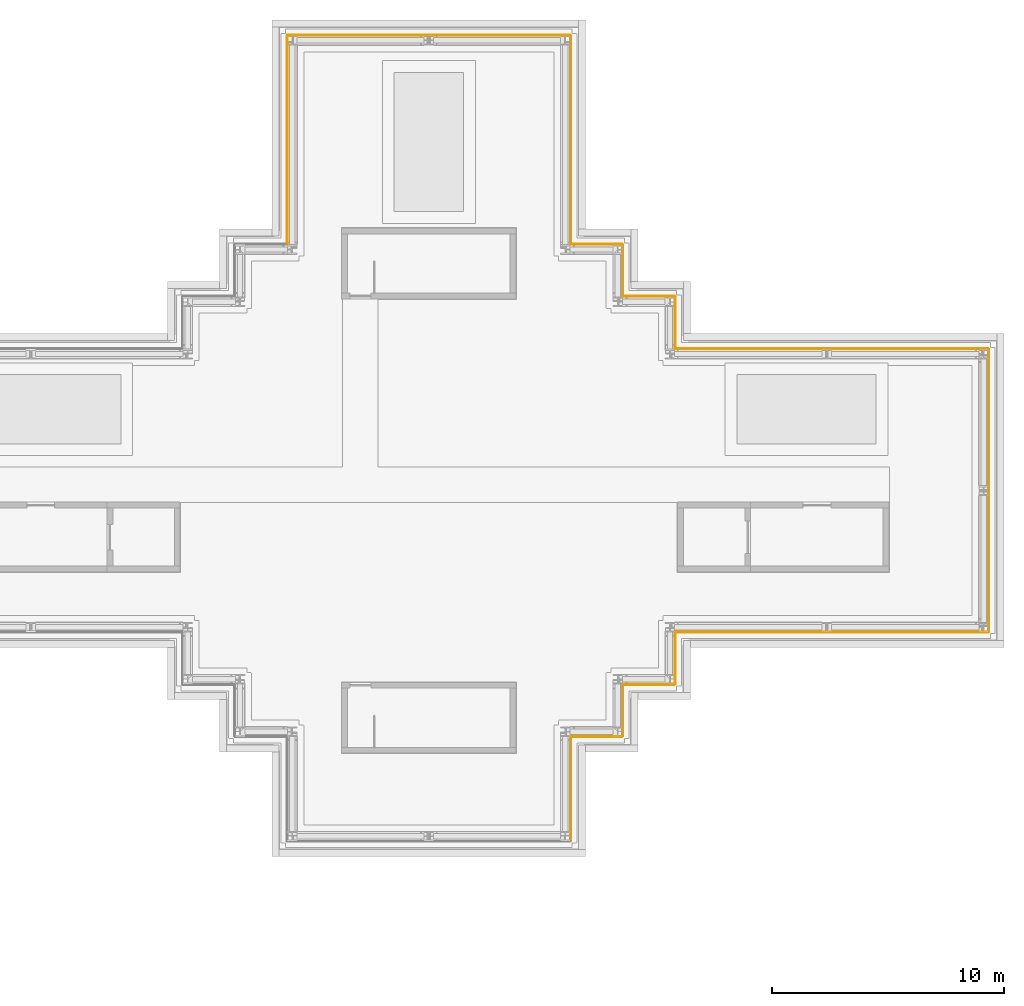
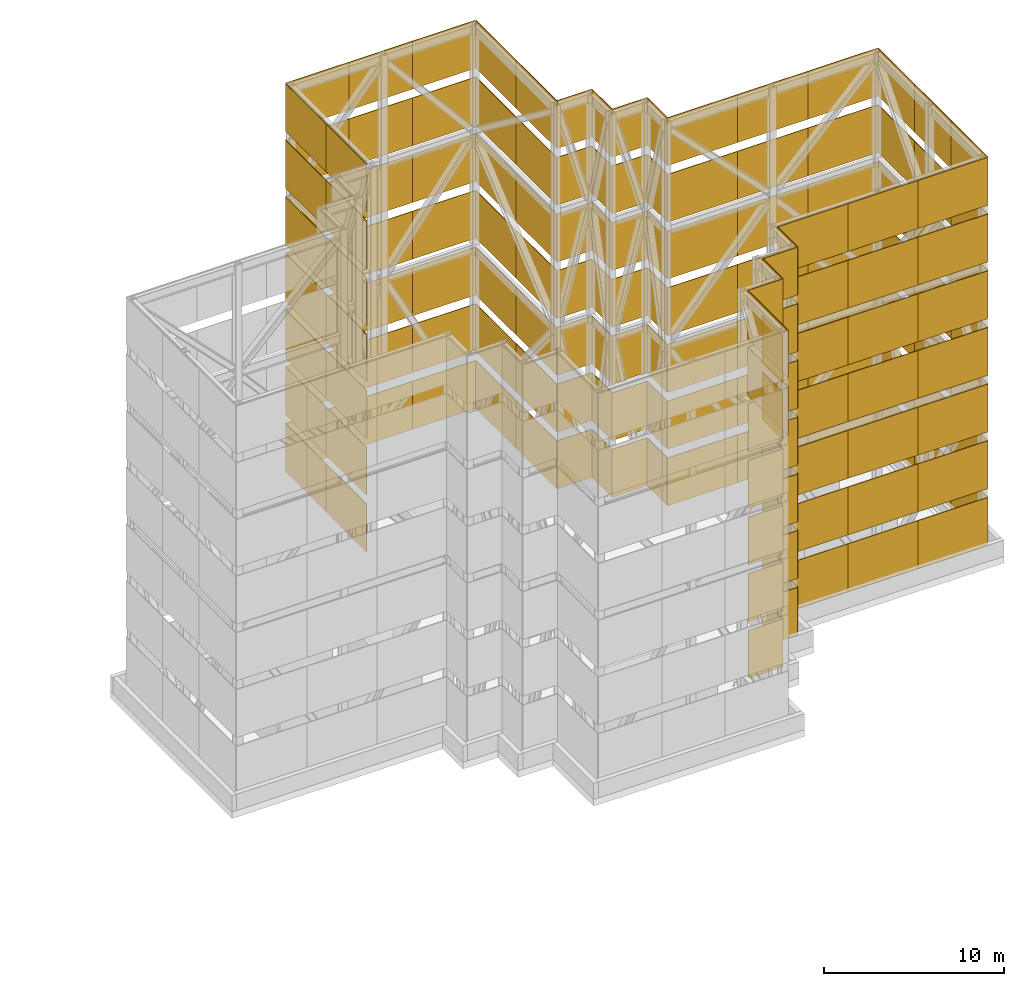
# One storey, part 18 of 19: 170 coverings.
"""IFC4 building model written with IfcOpenShell, lengths in metres."""

from ifc_helpers import new_model, si_unit, direction, frame, origin, origin_2d, place, context, subcontext, project, spatial, rectangle, extrude, material, layer, layer_set, type_object, element, save


model = new_model("IFC4")

# Units and contexts
model_context = context("Model", 3, precision=1e-05, world=origin(), true_north=direction((0.0, 1.0)))
body_context = subcontext(model_context, "Body", "Model", "MODEL_VIEW")
ifc_project = project(units=[si_unit("LENGTHUNIT", "METRE"), si_unit("AREAUNIT", "SQUARE_METRE"), si_unit("VOLUMEUNIT", "CUBIC_METRE"), si_unit("PLANEANGLEUNIT", "RADIAN"), si_unit("MASSUNIT", "GRAM", prefix="KILO")], contexts=[model_context])

# Site, building, storey
site_placement = place(None, origin())
site = spatial("IfcSite", under=ifc_project, at=site_placement, CompositionType="ELEMENT")
building_placement = place(site_placement, origin())
building = spatial("IfcBuilding", under=site, at=building_placement, Name="Shamsa Quay Exchange Towers", CompositionType="ELEMENT")
storey_placement = place(building_placement, frame((0.0, 0.0, 284.300048828125)))
storey = spatial("IfcBuildingStorey", under=building, at=storey_placement, Name="Roof", CompositionType="ELEMENT", Elevation=284.300048828125)

# Coverings
ifc_material = material(Name="Aluminium EN AW-5083, dark bronze anodised, perforated", Category="aluminium")
ifc_layer = layer(ifc_material, 0.0400390625)
ifc_layer_set = layer_set([ifc_layer], Name="CROWN SCREEN PANEL 40")
covering_type = type_object("IfcCoveringType", Name="CROWN SCREEN PANEL 40", PredefinedType="CLADDING", material=ifc_layer_set)
for number, where, name in (
    (1, (43.22900390625, -8.35302734375, 0.60009765625), "SCREEN T2 CR00 tier 1"),
    (2, (43.22900390625, -8.35302734375, 4.44287109375), "SCREEN T2 CR00 tier 2"),
    (3, (43.22900390625, -8.35302734375, 8.28564453125), "SCREEN T2 CR00 tier 3"),
    (4, (43.22900390625, -8.35302734375, 12.12841796875), "SCREEN T2 CR00 tier 4"),
    (5, (43.22900390625, -8.35302734375, 15.97119140625), "SCREEN T2 CR00 tier 5"),
    (6, (43.22900390625, -8.35302734375, 19.81396484375), "SCREEN T2 CR00 tier 6"),
    (7, (43.22900390625, -8.35302734375, 23.6572265625), "SCREEN T2 CR00 tier 7"),
):
    element("IfcCovering", number, at=place(storey_placement, frame(where)), inside=storey, type_object=covering_type, Name=name, PredefinedType="CLADDING", context=body_context, shape_type="SweptSolid", body=[
        extrude(rectangle(XDim=2.2080078125, YDim=0.0400390625, at=origin_2d()), origin(), (0.0, 0.0, 1.0), 3.242919921875),
    ])
for number, where, z_axis, x_axis, name in (
    (8, (44.35302734375, -7.2080078125, 0.60009765625), (0.0, 0.0, 1.0), (0.0, 1.0, 0.0), "SCREEN T2 CR01 tier 1"),
    (9, (44.35302734375, -7.2080078125, 4.44287109375), (0.0, 0.0, 1.0), (0.0, 1.0, 0.0), "SCREEN T2 CR01 tier 2"),
    (10, (44.35302734375, -7.2080078125, 8.28564453125), (0.0, 0.0, 1.0), (0.0, 1.0, 0.0), "SCREEN T2 CR01 tier 3"),
    (11, (44.35302734375, -7.2080078125, 12.12841796875), (0.0, 0.0, 1.0), (0.0, 1.0, 0.0), "SCREEN T2 CR01 tier 4"),
    (12, (44.35302734375, -7.2080078125, 15.97119140625), (0.0, 0.0, 1.0), (0.0, 1.0, 0.0), "SCREEN T2 CR01 tier 5"),
    (13, (44.35302734375, -7.2080078125, 19.81396484375), (0.0, 0.0, 1.0), (0.0, 1.0, 0.0), "SCREEN T2 CR01 tier 6"),
    (14, (44.35302734375, -7.2080078125, 23.6572265625), (0.0, 0.0, 1.0), (0.0, 1.0, 0.0), "SCREEN T2 CR01 tier 7"),
):
    element("IfcCovering", number, at=place(storey_placement, frame(where, z_axis=z_axis, x_axis=x_axis)), inside=storey, type_object=covering_type, Name=name, PredefinedType="CLADDING", context=body_context, shape_type="SweptSolid", body=[
        extrude(rectangle(XDim=2.25, YDim=0.0400390625, at=origin_2d()), origin(), (0.0, 0.0, 1.0), 3.242919921875),
    ])
for number, where, name in (
    (15, (46.6181640625, -6.10302734375, 0.60009765625), "SCREEN T2 CR02 tier 1"),
    (16, (51.10400390625, -6.10302734375, 0.60009765625), "SCREEN T2 CR02 tier 1"),
    (17, (55.590087890625, -6.10302734375, 0.60009765625), "SCREEN T2 CR02 tier 1"),
    (18, (46.6181640625, -6.10302734375, 4.44287109375), "SCREEN T2 CR02 tier 2"),
    (19, (51.10400390625, -6.10302734375, 4.44287109375), "SCREEN T2 CR02 tier 2"),
    (20, (55.590087890625, -6.10302734375, 4.44287109375), "SCREEN T2 CR02 tier 2"),
    (21, (46.6181640625, -6.10302734375, 8.28564453125), "SCREEN T2 CR02 tier 3"),
    (22, (51.10400390625, -6.10302734375, 8.28564453125), "SCREEN T2 CR02 tier 3"),
    (23, (55.590087890625, -6.10302734375, 8.28564453125), "SCREEN T2 CR02 tier 3"),
    (24, (46.6181640625, -6.10302734375, 12.12841796875), "SCREEN T2 CR02 tier 4"),
    (25, (51.10400390625, -6.10302734375, 12.12841796875), "SCREEN T2 CR02 tier 4"),
    (26, (55.590087890625, -6.10302734375, 12.12841796875), "SCREEN T2 CR02 tier 4"),
    (27, (46.6181640625, -6.10302734375, 15.97119140625), "SCREEN T2 CR02 tier 5"),
    (28, (51.10400390625, -6.10302734375, 15.97119140625), "SCREEN T2 CR02 tier 5"),
    (29, (55.590087890625, -6.10302734375, 15.97119140625), "SCREEN T2 CR02 tier 5"),
    (30, (46.6181640625, -6.10302734375, 19.81396484375), "SCREEN T2 CR02 tier 6"),
    (31, (51.10400390625, -6.10302734375, 19.81396484375), "SCREEN T2 CR02 tier 6"),
    (32, (55.590087890625, -6.10302734375, 19.81396484375), "SCREEN T2 CR02 tier 6"),
    (33, (46.6181640625, -6.10302734375, 23.6572265625), "SCREEN T2 CR02 tier 7"),
    (34, (51.10400390625, -6.10302734375, 23.6572265625), "SCREEN T2 CR02 tier 7"),
    (35, (55.590087890625, -6.10302734375, 23.6572265625), "SCREEN T2 CR02 tier 7"),
):
    element("IfcCovering", number, at=place(storey_placement, frame(where)), inside=storey, type_object=covering_type, Name=name, PredefinedType="CLADDING", context=body_context, shape_type="SweptSolid", body=[
        extrude(rectangle(XDim=4.486083984375, YDim=0.0400390625, at=origin_2d()), origin(), (0.0, 0.0, 1.0), 3.242919921875),
    ])
for number, where, z_axis, x_axis, name in (
    (36, (57.85302734375, -4.055419921875, 0.60009765625), (0.0, 0.0, 1.0), (0.0, 1.0, 0.0), "SCREEN T2 CR03 tier 1"),
    (37, (57.85302734375, 0.0, 0.60009765625), (0.0, 0.0, 1.0), (0.0, 1.0, 0.0), "SCREEN T2 CR03 tier 1"),
    (38, (57.85302734375, 4.055419921875, 0.60009765625), (0.0, 0.0, 1.0), (0.0, 1.0, 0.0), "SCREEN T2 CR03 tier 1"),
    (39, (57.85302734375, -4.055419921875, 4.44287109375), (0.0, 0.0, 1.0), (0.0, 1.0, 0.0), "SCREEN T2 CR03 tier 2"),
    (40, (57.85302734375, 0.0, 4.44287109375), (0.0, 0.0, 1.0), (0.0, 1.0, 0.0), "SCREEN T2 CR03 tier 2"),
    (41, (57.85302734375, 4.055419921875, 4.44287109375), (0.0, 0.0, 1.0), (0.0, 1.0, 0.0), "SCREEN T2 CR03 tier 2"),
    (42, (57.85302734375, -4.055419921875, 8.28564453125), (0.0, 0.0, 1.0), (0.0, 1.0, 0.0), "SCREEN T2 CR03 tier 3"),
    (43, (57.85302734375, 0.0, 8.28564453125), (0.0, 0.0, 1.0), (0.0, 1.0, 0.0), "SCREEN T2 CR03 tier 3"),
    (44, (57.85302734375, 4.055419921875, 8.28564453125), (0.0, 0.0, 1.0), (0.0, 1.0, 0.0), "SCREEN T2 CR03 tier 3"),
    (45, (57.85302734375, -4.055419921875, 12.12841796875), (0.0, 0.0, 1.0), (0.0, 1.0, 0.0), "SCREEN T2 CR03 tier 4"),
    (46, (57.85302734375, 0.0, 12.12841796875), (0.0, 0.0, 1.0), (0.0, 1.0, 0.0), "SCREEN T2 CR03 tier 4"),
    (47, (57.85302734375, 4.055419921875, 12.12841796875), (0.0, 0.0, 1.0), (0.0, 1.0, 0.0), "SCREEN T2 CR03 tier 4"),
    (48, (57.85302734375, -4.055419921875, 15.97119140625), (0.0, 0.0, 1.0), (0.0, 1.0, 0.0), "SCREEN T2 CR03 tier 5"),
    (49, (57.85302734375, 0.0, 15.97119140625), (0.0, 0.0, 1.0), (0.0, 1.0, 0.0), "SCREEN T2 CR03 tier 5"),
    (50, (57.85302734375, 4.055419921875, 15.97119140625), (0.0, 0.0, 1.0), (0.0, 1.0, 0.0), "SCREEN T2 CR03 tier 5"),
    (51, (57.85302734375, -4.055419921875, 19.81396484375), (0.0, 0.0, 1.0), (0.0, 1.0, 0.0), "SCREEN T2 CR03 tier 6"),
    (52, (57.85302734375, 0.0, 19.81396484375), (0.0, 0.0, 1.0), (0.0, 1.0, 0.0), "SCREEN T2 CR03 tier 6"),
    (53, (57.85302734375, 4.055419921875, 19.81396484375), (0.0, 0.0, 1.0), (0.0, 1.0, 0.0), "SCREEN T2 CR03 tier 6"),
    (54, (57.85302734375, -4.055419921875, 23.6572265625), (0.0, 0.0, 1.0), (0.0, 1.0, 0.0), "SCREEN T2 CR03 tier 7"),
    (55, (57.85302734375, 0.0, 23.6572265625), (0.0, 0.0, 1.0), (0.0, 1.0, 0.0), "SCREEN T2 CR03 tier 7"),
    (56, (57.85302734375, 4.055419921875, 23.6572265625), (0.0, 0.0, 1.0), (0.0, 1.0, 0.0), "SCREEN T2 CR03 tier 7"),
):
    element("IfcCovering", number, at=place(storey_placement, frame(where, z_axis=z_axis, x_axis=x_axis)), inside=storey, type_object=covering_type, Name=name, PredefinedType="CLADDING", context=body_context, shape_type="SweptSolid", body=[
        extrude(rectangle(XDim=4.055419921875, YDim=0.0400390625, at=origin_2d()), origin(), (0.0, 0.0, 1.0), 3.242919921875),
    ])
for number, where, z_axis, x_axis, name in (
    (57, (55.5830078125, 6.10302734375, 0.60009765625), (0.0, 0.0, 1.0), (-1.0, 0.0, 0.0), "SCREEN T2 CR04 tier 1"),
    (58, (51.0830078125, 6.10302734375, 0.60009765625), (0.0, 0.0, 1.0), (-1.0, 0.0, 0.0), "SCREEN T2 CR04 tier 1"),
    (59, (46.5830078125, 6.10302734375, 0.60009765625), (0.0, 0.0, 1.0), (-1.0, 0.0, 0.0), "SCREEN T2 CR04 tier 1"),
    (60, (55.5830078125, 6.10302734375, 4.44287109375), (0.0, 0.0, 1.0), (-1.0, 0.0, 0.0), "SCREEN T2 CR04 tier 2"),
    (61, (51.0830078125, 6.10302734375, 4.44287109375), (0.0, 0.0, 1.0), (-1.0, 0.0, 0.0), "SCREEN T2 CR04 tier 2"),
    (62, (46.5830078125, 6.10302734375, 4.44287109375), (0.0, 0.0, 1.0), (-1.0, 0.0, 0.0), "SCREEN T2 CR04 tier 2"),
    (63, (55.5830078125, 6.10302734375, 8.28564453125), (0.0, 0.0, 1.0), (-1.0, 0.0, 0.0), "SCREEN T2 CR04 tier 3"),
    (64, (51.0830078125, 6.10302734375, 8.28564453125), (0.0, 0.0, 1.0), (-1.0, 0.0, 0.0), "SCREEN T2 CR04 tier 3"),
    (65, (46.5830078125, 6.10302734375, 8.28564453125), (0.0, 0.0, 1.0), (-1.0, 0.0, 0.0), "SCREEN T2 CR04 tier 3"),
    (66, (55.5830078125, 6.10302734375, 12.12841796875), (0.0, 0.0, 1.0), (-1.0, 0.0, 0.0), "SCREEN T2 CR04 tier 4"),
    (67, (51.0830078125, 6.10302734375, 12.12841796875), (0.0, 0.0, 1.0), (-1.0, 0.0, 0.0), "SCREEN T2 CR04 tier 4"),
    (68, (46.5830078125, 6.10302734375, 12.12841796875), (0.0, 0.0, 1.0), (-1.0, 0.0, 0.0), "SCREEN T2 CR04 tier 4"),
    (69, (55.5830078125, 6.10302734375, 15.97119140625), (0.0, 0.0, 1.0), (-1.0, 0.0, 0.0), "SCREEN T2 CR04 tier 5"),
    (70, (51.0830078125, 6.10302734375, 15.97119140625), (0.0, 0.0, 1.0), (-1.0, 0.0, 0.0), "SCREEN T2 CR04 tier 5"),
    (71, (46.5830078125, 6.10302734375, 15.97119140625), (0.0, 0.0, 1.0), (-1.0, 0.0, 0.0), "SCREEN T2 CR04 tier 5"),
    (72, (55.5830078125, 6.10302734375, 19.81396484375), (0.0, 0.0, 1.0), (-1.0, 0.0, 0.0), "SCREEN T2 CR04 tier 6"),
    (73, (51.0830078125, 6.10302734375, 19.81396484375), (0.0, 0.0, 1.0), (-1.0, 0.0, 0.0), "SCREEN T2 CR04 tier 6"),
    (74, (46.5830078125, 6.10302734375, 19.81396484375), (0.0, 0.0, 1.0), (-1.0, 0.0, 0.0), "SCREEN T2 CR04 tier 6"),
    (75, (55.5830078125, 6.10302734375, 23.6572265625), (0.0, 0.0, 1.0), (-1.0, 0.0, 0.0), "SCREEN T2 CR04 tier 7"),
    (76, (51.0830078125, 6.10302734375, 23.6572265625), (0.0, 0.0, 1.0), (-1.0, 0.0, 0.0), "SCREEN T2 CR04 tier 7"),
    (77, (46.5830078125, 6.10302734375, 23.6572265625), (0.0, 0.0, 1.0), (-1.0, 0.0, 0.0), "SCREEN T2 CR04 tier 7"),
):
    element("IfcCovering", number, at=place(storey_placement, frame(where, z_axis=z_axis, x_axis=x_axis)), inside=storey, type_object=covering_type, Name=name, PredefinedType="CLADDING", context=body_context, shape_type="SweptSolid", body=[
        extrude(rectangle(XDim=4.5, YDim=0.0400390625, at=origin_2d()), origin(), (0.0, 0.0, 1.0), 3.242919921875),
    ])
for number, where, z_axis, x_axis, name in (
    (78, (44.35302734375, 7.22900390625, 0.60009765625), (0.0, 0.0, 1.0), (0.0, 1.0, 0.0), "SCREEN T2 CR05 tier 1"),
    (79, (44.35302734375, 7.22900390625, 4.44287109375), (0.0, 0.0, 1.0), (0.0, 1.0, 0.0), "SCREEN T2 CR05 tier 2"),
    (80, (44.35302734375, 7.22900390625, 8.28564453125), (0.0, 0.0, 1.0), (0.0, 1.0, 0.0), "SCREEN T2 CR05 tier 3"),
    (81, (44.35302734375, 7.22900390625, 12.12841796875), (0.0, 0.0, 1.0), (0.0, 1.0, 0.0), "SCREEN T2 CR05 tier 4"),
    (82, (44.35302734375, 7.22900390625, 15.97119140625), (0.0, 0.0, 1.0), (0.0, 1.0, 0.0), "SCREEN T2 CR05 tier 5"),
    (83, (44.35302734375, 7.22900390625, 19.81396484375), (0.0, 0.0, 1.0), (0.0, 1.0, 0.0), "SCREEN T2 CR05 tier 6"),
    (84, (44.35302734375, 7.22900390625, 23.6572265625), (0.0, 0.0, 1.0), (0.0, 1.0, 0.0), "SCREEN T2 CR05 tier 7"),
):
    element("IfcCovering", number, at=place(storey_placement, frame(where, z_axis=z_axis, x_axis=x_axis)), inside=storey, type_object=covering_type, Name=name, PredefinedType="CLADDING", context=body_context, shape_type="SweptSolid", body=[
        extrude(rectangle(XDim=2.2080078125, YDim=0.0400390625, at=origin_2d()), origin(), (0.0, 0.0, 1.0), 3.242919921875),
    ])
for number, where, z_axis, x_axis, name in (
    (85, (43.2080078125, 8.35302734375, 0.60009765625), (0.0, 0.0, 1.0), (-1.0, 0.0, 0.0), "SCREEN T2 CR06 tier 1"),
    (86, (43.2080078125, 8.35302734375, 4.44287109375), (0.0, 0.0, 1.0), (-1.0, 0.0, 0.0), "SCREEN T2 CR06 tier 2"),
    (87, (43.2080078125, 8.35302734375, 8.28564453125), (0.0, 0.0, 1.0), (-1.0, 0.0, 0.0), "SCREEN T2 CR06 tier 3"),
    (88, (43.2080078125, 8.35302734375, 12.12841796875), (0.0, 0.0, 1.0), (-1.0, 0.0, 0.0), "SCREEN T2 CR06 tier 4"),
    (89, (43.2080078125, 8.35302734375, 15.97119140625), (0.0, 0.0, 1.0), (-1.0, 0.0, 0.0), "SCREEN T2 CR06 tier 5"),
    (90, (43.2080078125, 8.35302734375, 19.81396484375), (0.0, 0.0, 1.0), (-1.0, 0.0, 0.0), "SCREEN T2 CR06 tier 6"),
    (91, (43.2080078125, 8.35302734375, 23.6572265625), (0.0, 0.0, 1.0), (-1.0, 0.0, 0.0), "SCREEN T2 CR06 tier 7"),
):
    element("IfcCovering", number, at=place(storey_placement, frame(where, z_axis=z_axis, x_axis=x_axis)), inside=storey, type_object=covering_type, Name=name, PredefinedType="CLADDING", context=body_context, shape_type="SweptSolid", body=[
        extrude(rectangle(XDim=2.25, YDim=0.0400390625, at=origin_2d()), origin(), (0.0, 0.0, 1.0), 3.242919921875),
    ])
for number, where, z_axis, x_axis, name in (
    (92, (42.10302734375, 9.47900390625, 0.60009765625), (0.0, 0.0, 1.0), (0.0, 1.0, 0.0), "SCREEN T2 CR07 tier 1"),
    (93, (42.10302734375, 9.47900390625, 4.44287109375), (0.0, 0.0, 1.0), (0.0, 1.0, 0.0), "SCREEN T2 CR07 tier 2"),
    (94, (42.10302734375, 9.47900390625, 8.28564453125), (0.0, 0.0, 1.0), (0.0, 1.0, 0.0), "SCREEN T2 CR07 tier 3"),
    (95, (42.10302734375, 9.47900390625, 12.12841796875), (0.0, 0.0, 1.0), (0.0, 1.0, 0.0), "SCREEN T2 CR07 tier 4"),
    (96, (42.10302734375, 9.47900390625, 15.97119140625), (0.0, 0.0, 1.0), (0.0, 1.0, 0.0), "SCREEN T2 CR07 tier 5"),
    (97, (42.10302734375, 9.47900390625, 19.81396484375), (0.0, 0.0, 1.0), (0.0, 1.0, 0.0), "SCREEN T2 CR07 tier 6"),
    (98, (42.10302734375, 9.47900390625, 23.6572265625), (0.0, 0.0, 1.0), (0.0, 1.0, 0.0), "SCREEN T2 CR07 tier 7"),
):
    element("IfcCovering", number, at=place(storey_placement, frame(where, z_axis=z_axis, x_axis=x_axis)), inside=storey, type_object=covering_type, Name=name, PredefinedType="CLADDING", context=body_context, shape_type="SweptSolid", body=[
        extrude(rectangle(XDim=2.2080078125, YDim=0.0400390625, at=origin_2d()), origin(), (0.0, 0.0, 1.0), 3.242919921875),
    ])
for number, where, z_axis, x_axis, name in (
    (99, (40.9580078125, 10.60302734375, 0.60009765625), (0.0, 0.0, 1.0), (-1.0, 0.0, 0.0), "SCREEN T2 CR08 tier 1"),
    (100, (40.9580078125, 10.60302734375, 4.44287109375), (0.0, 0.0, 1.0), (-1.0, 0.0, 0.0), "SCREEN T2 CR08 tier 2"),
    (101, (40.9580078125, 10.60302734375, 8.28564453125), (0.0, 0.0, 1.0), (-1.0, 0.0, 0.0), "SCREEN T2 CR08 tier 3"),
    (102, (40.9580078125, 10.60302734375, 12.12841796875), (0.0, 0.0, 1.0), (-1.0, 0.0, 0.0), "SCREEN T2 CR08 tier 4"),
    (103, (40.9580078125, 10.60302734375, 15.97119140625), (0.0, 0.0, 1.0), (-1.0, 0.0, 0.0), "SCREEN T2 CR08 tier 5"),
    (104, (40.9580078125, 10.60302734375, 19.81396484375), (0.0, 0.0, 1.0), (-1.0, 0.0, 0.0), "SCREEN T2 CR08 tier 6"),
    (105, (40.9580078125, 10.60302734375, 23.6572265625), (0.0, 0.0, 1.0), (-1.0, 0.0, 0.0), "SCREEN T2 CR08 tier 7"),
):
    element("IfcCovering", number, at=place(storey_placement, frame(where, z_axis=z_axis, x_axis=x_axis)), inside=storey, type_object=covering_type, Name=name, PredefinedType="CLADDING", context=body_context, shape_type="SweptSolid", body=[
        extrude(rectangle(XDim=2.25, YDim=0.0400390625, at=origin_2d()), origin(), (0.0, 0.0, 1.0), 3.242919921875),
    ])
for number, where, z_axis, x_axis, name in (
    (106, (39.85302734375, 12.864501953125, 0.60009765625), (0.0, 0.0, 1.0), (0.0, 1.0, 0.0), "SCREEN T2 CR09 tier 1"),
    (107, (39.85302734375, 17.343505859375, 0.60009765625), (0.0, 0.0, 1.0), (0.0, 1.0, 0.0), "SCREEN T2 CR09 tier 1"),
    (108, (39.85302734375, 12.864501953125, 4.44287109375), (0.0, 0.0, 1.0), (0.0, 1.0, 0.0), "SCREEN T2 CR09 tier 2"),
    (109, (39.85302734375, 17.343505859375, 4.44287109375), (0.0, 0.0, 1.0), (0.0, 1.0, 0.0), "SCREEN T2 CR09 tier 2"),
    (110, (39.85302734375, 12.864501953125, 8.28564453125), (0.0, 0.0, 1.0), (0.0, 1.0, 0.0), "SCREEN T2 CR09 tier 3"),
    (111, (39.85302734375, 17.343505859375, 8.28564453125), (0.0, 0.0, 1.0), (0.0, 1.0, 0.0), "SCREEN T2 CR09 tier 3"),
    (112, (39.85302734375, 12.864501953125, 12.12841796875), (0.0, 0.0, 1.0), (0.0, 1.0, 0.0), "SCREEN T2 CR09 tier 4"),
    (113, (39.85302734375, 17.343505859375, 12.12841796875), (0.0, 0.0, 1.0), (0.0, 1.0, 0.0), "SCREEN T2 CR09 tier 4"),
    (114, (39.85302734375, 12.864501953125, 15.97119140625), (0.0, 0.0, 1.0), (0.0, 1.0, 0.0), "SCREEN T2 CR09 tier 5"),
    (115, (39.85302734375, 17.343505859375, 15.97119140625), (0.0, 0.0, 1.0), (0.0, 1.0, 0.0), "SCREEN T2 CR09 tier 5"),
    (116, (39.85302734375, 12.864501953125, 19.81396484375), (0.0, 0.0, 1.0), (0.0, 1.0, 0.0), "SCREEN T2 CR09 tier 6"),
    (117, (39.85302734375, 17.343505859375, 19.81396484375), (0.0, 0.0, 1.0), (0.0, 1.0, 0.0), "SCREEN T2 CR09 tier 6"),
    (118, (39.85302734375, 12.864501953125, 23.6572265625), (0.0, 0.0, 1.0), (0.0, 1.0, 0.0), "SCREEN T2 CR09 tier 7"),
    (119, (39.85302734375, 17.343505859375, 23.6572265625), (0.0, 0.0, 1.0), (0.0, 1.0, 0.0), "SCREEN T2 CR09 tier 7"),
):
    element("IfcCovering", number, at=place(storey_placement, frame(where, z_axis=z_axis, x_axis=x_axis)), inside=storey, type_object=covering_type, Name=name, PredefinedType="CLADDING", context=body_context, shape_type="SweptSolid", body=[
        extrude(rectangle(XDim=4.47900390625, YDim=0.0400390625, at=origin_2d()), origin(), (0.0, 0.0, 1.0), 3.242919921875),
    ])
for number, where, z_axis, x_axis, name in (
    (120, (37.805419921875, 19.60302734375, 0.60009765625), (0.0, 0.0, 1.0), (-1.0, 0.0, 0.0), "SCREEN T2 CR10 tier 1"),
    (121, (33.75, 19.60302734375, 0.60009765625), (0.0, 0.0, 1.0), (-1.0, 0.0, 0.0), "SCREEN T2 CR10 tier 1"),
    (122, (29.694580078125, 19.60302734375, 0.60009765625), (0.0, 0.0, 1.0), (-1.0, 0.0, 0.0), "SCREEN T2 CR10 tier 1"),
    (123, (37.805419921875, 19.60302734375, 4.44287109375), (0.0, 0.0, 1.0), (-1.0, 0.0, 0.0), "SCREEN T2 CR10 tier 2"),
    (124, (33.75, 19.60302734375, 4.44287109375), (0.0, 0.0, 1.0), (-1.0, 0.0, 0.0), "SCREEN T2 CR10 tier 2"),
    (125, (29.694580078125, 19.60302734375, 4.44287109375), (0.0, 0.0, 1.0), (-1.0, 0.0, 0.0), "SCREEN T2 CR10 tier 2"),
    (126, (37.805419921875, 19.60302734375, 8.28564453125), (0.0, 0.0, 1.0), (-1.0, 0.0, 0.0), "SCREEN T2 CR10 tier 3"),
    (127, (33.75, 19.60302734375, 8.28564453125), (0.0, 0.0, 1.0), (-1.0, 0.0, 0.0), "SCREEN T2 CR10 tier 3"),
    (128, (29.694580078125, 19.60302734375, 8.28564453125), (0.0, 0.0, 1.0), (-1.0, 0.0, 0.0), "SCREEN T2 CR10 tier 3"),
    (129, (37.805419921875, 19.60302734375, 12.12841796875), (0.0, 0.0, 1.0), (-1.0, 0.0, 0.0), "SCREEN T2 CR10 tier 4"),
    (130, (33.75, 19.60302734375, 12.12841796875), (0.0, 0.0, 1.0), (-1.0, 0.0, 0.0), "SCREEN T2 CR10 tier 4"),
    (131, (29.694580078125, 19.60302734375, 12.12841796875), (0.0, 0.0, 1.0), (-1.0, 0.0, 0.0), "SCREEN T2 CR10 tier 4"),
    (132, (37.805419921875, 19.60302734375, 15.97119140625), (0.0, 0.0, 1.0), (-1.0, 0.0, 0.0), "SCREEN T2 CR10 tier 5"),
    (133, (33.75, 19.60302734375, 15.97119140625), (0.0, 0.0, 1.0), (-1.0, 0.0, 0.0), "SCREEN T2 CR10 tier 5"),
    (134, (29.694580078125, 19.60302734375, 15.97119140625), (0.0, 0.0, 1.0), (-1.0, 0.0, 0.0), "SCREEN T2 CR10 tier 5"),
    (135, (37.805419921875, 19.60302734375, 19.81396484375), (0.0, 0.0, 1.0), (-1.0, 0.0, 0.0), "SCREEN T2 CR10 tier 6"),
    (136, (33.75, 19.60302734375, 19.81396484375), (0.0, 0.0, 1.0), (-1.0, 0.0, 0.0), "SCREEN T2 CR10 tier 6"),
    (137, (29.694580078125, 19.60302734375, 19.81396484375), (0.0, 0.0, 1.0), (-1.0, 0.0, 0.0), "SCREEN T2 CR10 tier 6"),
    (138, (37.805419921875, 19.60302734375, 23.6572265625), (0.0, 0.0, 1.0), (-1.0, 0.0, 0.0), "SCREEN T2 CR10 tier 7"),
    (139, (33.75, 19.60302734375, 23.6572265625), (0.0, 0.0, 1.0), (-1.0, 0.0, 0.0), "SCREEN T2 CR10 tier 7"),
    (140, (29.694580078125, 19.60302734375, 23.6572265625), (0.0, 0.0, 1.0), (-1.0, 0.0, 0.0), "SCREEN T2 CR10 tier 7"),
):
    element("IfcCovering", number, at=place(storey_placement, frame(where, z_axis=z_axis, x_axis=x_axis)), inside=storey, type_object=covering_type, Name=name, PredefinedType="CLADDING", context=body_context, shape_type="SweptSolid", body=[
        extrude(rectangle(XDim=4.055419921875, YDim=0.0400390625, at=origin_2d()), origin(), (0.0, 0.0, 1.0), 3.242919921875),
    ])
for number, where, z_axis, x_axis, name in (
    (141, (27.64697265625, 17.3330078125, 0.60009765625), (0.0, 0.0, 1.0), (0.0, -1.0, 0.0), "SCREEN T2 CR11 tier 1"),
    (142, (27.64697265625, 12.8330078125, 0.60009765625), (0.0, 0.0, 1.0), (0.0, -1.0, 0.0), "SCREEN T2 CR11 tier 1"),
    (143, (27.64697265625, 17.3330078125, 4.44287109375), (0.0, 0.0, 1.0), (0.0, -1.0, 0.0), "SCREEN T2 CR11 tier 2"),
    (144, (27.64697265625, 12.8330078125, 4.44287109375), (0.0, 0.0, 1.0), (0.0, -1.0, 0.0), "SCREEN T2 CR11 tier 2"),
    (145, (27.64697265625, 17.3330078125, 8.28564453125), (0.0, 0.0, 1.0), (0.0, -1.0, 0.0), "SCREEN T2 CR11 tier 3"),
    (146, (27.64697265625, 12.8330078125, 8.28564453125), (0.0, 0.0, 1.0), (0.0, -1.0, 0.0), "SCREEN T2 CR11 tier 3"),
    (147, (27.64697265625, 17.3330078125, 12.12841796875), (0.0, 0.0, 1.0), (0.0, -1.0, 0.0), "SCREEN T2 CR11 tier 4"),
    (148, (27.64697265625, 12.8330078125, 12.12841796875), (0.0, 0.0, 1.0), (0.0, -1.0, 0.0), "SCREEN T2 CR11 tier 4"),
    (149, (27.64697265625, 17.3330078125, 15.97119140625), (0.0, 0.0, 1.0), (0.0, -1.0, 0.0), "SCREEN T2 CR11 tier 5"),
    (150, (27.64697265625, 12.8330078125, 15.97119140625), (0.0, 0.0, 1.0), (0.0, -1.0, 0.0), "SCREEN T2 CR11 tier 5"),
    (151, (27.64697265625, 17.3330078125, 19.81396484375), (0.0, 0.0, 1.0), (0.0, -1.0, 0.0), "SCREEN T2 CR11 tier 6"),
    (152, (27.64697265625, 12.8330078125, 19.81396484375), (0.0, 0.0, 1.0), (0.0, -1.0, 0.0), "SCREEN T2 CR11 tier 6"),
    (153, (27.64697265625, 17.3330078125, 23.6572265625), (0.0, 0.0, 1.0), (0.0, -1.0, 0.0), "SCREEN T2 CR11 tier 7"),
    (154, (27.64697265625, 12.8330078125, 23.6572265625), (0.0, 0.0, 1.0), (0.0, -1.0, 0.0), "SCREEN T2 CR11 tier 7"),
    (155, (39.85302734375, -12.8330078125, 19.81396484375), (0.0, 0.0, 1.0), (0.0, 1.0, 0.0), "SCREEN T2 CR25 tier 6"),
    (156, (39.85302734375, -12.8330078125, 23.6572265625), (0.0, 0.0, 1.0), (0.0, 1.0, 0.0), "SCREEN T2 CR25 tier 7"),
):
    element("IfcCovering", number, at=place(storey_placement, frame(where, z_axis=z_axis, x_axis=x_axis)), inside=storey, type_object=covering_type, Name=name, PredefinedType="CLADDING", context=body_context, shape_type="SweptSolid", body=[
        extrude(rectangle(XDim=4.5, YDim=0.0400390625, at=origin_2d()), origin(), (0.0, 0.0, 1.0), 3.242919921875),
    ])
for number, where, name in (
    (157, (40.97900390625, -10.60302734375, 0.60009765625), "SCREEN T2 CR26 tier 1"),
    (158, (40.97900390625, -10.60302734375, 4.44287109375), "SCREEN T2 CR26 tier 2"),
    (159, (40.97900390625, -10.60302734375, 8.28564453125), "SCREEN T2 CR26 tier 3"),
    (160, (40.97900390625, -10.60302734375, 12.12841796875), "SCREEN T2 CR26 tier 4"),
    (161, (40.97900390625, -10.60302734375, 15.97119140625), "SCREEN T2 CR26 tier 5"),
    (162, (40.97900390625, -10.60302734375, 19.81396484375), "SCREEN T2 CR26 tier 6"),
    (163, (40.97900390625, -10.60302734375, 23.6572265625), "SCREEN T2 CR26 tier 7"),
):
    element("IfcCovering", number, at=place(storey_placement, frame(where)), inside=storey, type_object=covering_type, Name=name, PredefinedType="CLADDING", context=body_context, shape_type="SweptSolid", body=[
        extrude(rectangle(XDim=2.2080078125, YDim=0.0400390625, at=origin_2d()), origin(), (0.0, 0.0, 1.0), 3.242919921875),
    ])
for number, where, z_axis, x_axis, name in (
    (164, (42.10302734375, -9.4580078125, 0.60009765625), (0.0, 0.0, 1.0), (0.0, 1.0, 0.0), "SCREEN T2 CR27 tier 1"),
    (165, (42.10302734375, -9.4580078125, 4.44287109375), (0.0, 0.0, 1.0), (0.0, 1.0, 0.0), "SCREEN T2 CR27 tier 2"),
    (166, (42.10302734375, -9.4580078125, 8.28564453125), (0.0, 0.0, 1.0), (0.0, 1.0, 0.0), "SCREEN T2 CR27 tier 3"),
    (167, (42.10302734375, -9.4580078125, 12.12841796875), (0.0, 0.0, 1.0), (0.0, 1.0, 0.0), "SCREEN T2 CR27 tier 4"),
    (168, (42.10302734375, -9.4580078125, 15.97119140625), (0.0, 0.0, 1.0), (0.0, 1.0, 0.0), "SCREEN T2 CR27 tier 5"),
    (169, (42.10302734375, -9.4580078125, 19.81396484375), (0.0, 0.0, 1.0), (0.0, 1.0, 0.0), "SCREEN T2 CR27 tier 6"),
    (170, (42.10302734375, -9.4580078125, 23.6572265625), (0.0, 0.0, 1.0), (0.0, 1.0, 0.0), "SCREEN T2 CR27 tier 7"),
):
    element("IfcCovering", number, at=place(storey_placement, frame(where, z_axis=z_axis, x_axis=x_axis)), inside=storey, type_object=covering_type, Name=name, PredefinedType="CLADDING", context=body_context, shape_type="SweptSolid", body=[
        extrude(rectangle(XDim=2.25, YDim=0.0400390625, at=origin_2d()), origin(), (0.0, 0.0, 1.0), 3.242919921875),
    ])

save(model, "model.ifc")
